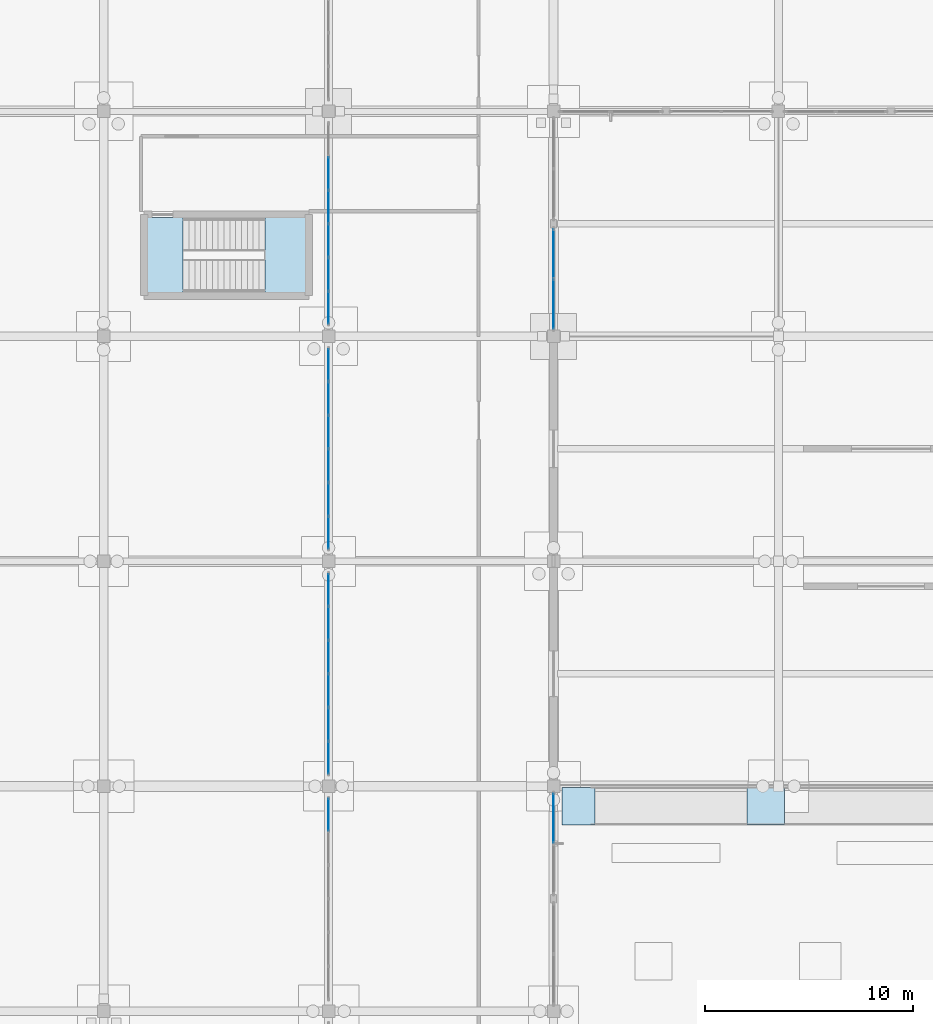
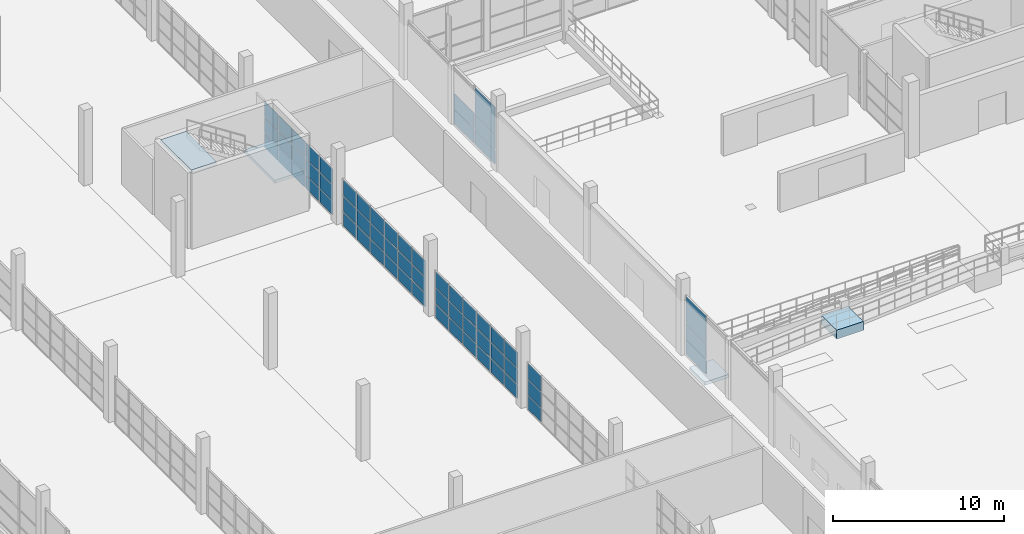
# One storey, part 83 of 138: 62 plates, 4 slabs, 8 elements without a shape of their own.
"""IFC4 building model written with IfcOpenShell, lengths in metres."""

from ifc_helpers import new_model, si_unit, direction, frame, origin, origin_2d, place, context, subcontext, project, spatial, polyline, rectangle, outline, extrude, material, layer, layer_set, type_object, element, aggregate, save


model = new_model("IFC4")

# Units and contexts
model_context = context("Model", 3, precision=1e-05, world=origin(), true_north=direction((0.0, 1.0)))
body_context = subcontext(model_context, "Body", "Model", "MODEL_VIEW")
ifc_project = project(units=[si_unit("LENGTHUNIT", "METRE"), si_unit("AREAUNIT", "SQUARE_METRE"), si_unit("VOLUMEUNIT", "CUBIC_METRE"), si_unit("PLANEANGLEUNIT", "RADIAN"), si_unit("MASSUNIT", "GRAM", prefix="KILO")], contexts=[model_context])

# Site, building, storey
site_placement = place(None, origin())
site = spatial("IfcSite", under=ifc_project, at=site_placement, CompositionType="ELEMENT")
building_placement = place(site_placement, origin())
building = spatial("IfcBuilding", under=site, at=building_placement, Name="Zwinboog Wholesale Market", CompositionType="ELEMENT")
storey_placement = place(building_placement, origin())
storey = spatial("IfcBuildingStorey", under=building, at=storey_placement, Name="L00", CompositionType="ELEMENT", Elevation=0.0)

# Curtain wall, plates
ifc_material_1 = material(Name="Aluminium thermally broken curtain wall", Category="aluminium")
curtain_wall_type_1 = type_object("IfcCurtainWallType", Name="CWT-OFF-15", PredefinedType="USERDEFINED", material=ifc_material_1)
curtain_wall_1_placement = place(storey_placement, origin())
curtain_wall_1 = element("IfcCurtainWall", 1, at=curtain_wall_1_placement, inside=storey, type_object=curtain_wall_type_1, Name="CW-06 (CW-L00-024)", ObjectType="UNITIZED_CURTAIN_WALL", PredefinedType="USERDEFINED")
ifc_material_2 = material(Name="Double low-e insulated glazing", Category="glass")
ifc_layer_1 = layer(ifc_material_2, 0.031982421875)
ifc_layer_set_1 = layer_set([ifc_layer_1], Name="Double low-e insulated glazing")
plate_type_1 = type_object("IfcPlateType", Name="CWP-IGU-32", PredefinedType="CURTAIN_PANEL", material=ifc_layer_set_1)
plate_1_placement = place(storey_placement, frame((43.199951171875, 30.86376953125, 0.06005859375), z_axis=(0.0, 0.0, 1.0), x_axis=(0.0, 1.0, 0.0)))
plate_1 = element("IfcPlate", 2, at=plate_1_placement, type_object=plate_type_1, Name="CW-06 panel 2.1", PredefinedType="CURTAIN_PANEL", context=body_context, shape_type="SweptSolid", body=[
    extrude(rectangle(XDim=2.362548828125, YDim=0.031982421875, at=origin_2d()), origin(), (0.0, 0.0, 1.0), 1.010009765625),
])
plate_2_placement = place(storey_placement, frame((43.199951171875, 30.86376953125, 1.1298828125), z_axis=(0.0, 0.0, 1.0), x_axis=(0.0, 1.0, 0.0)))
plate_2 = element("IfcPlate", 3, at=plate_2_placement, type_object=plate_type_1, Name="CW-06 panel 2.2", PredefinedType="CURTAIN_PANEL", context=body_context, shape_type="SweptSolid", body=[
    extrude(rectangle(XDim=2.362548828125, YDim=0.031982421875, at=origin_2d()), origin(), (0.0, 0.0, 1.0), 1.090087890625),
])
plate_3_placement = place(storey_placement, frame((43.199951171875, 30.86376953125, 2.2802734375), z_axis=(0.0, 0.0, 1.0), x_axis=(0.0, 1.0, 0.0)))
plate_3 = element("IfcPlate", 4, at=plate_3_placement, type_object=plate_type_1, Name="CW-06 panel 2.3", PredefinedType="CURTAIN_PANEL", context=body_context, shape_type="SweptSolid", body=[
    extrude(rectangle(XDim=2.362548828125, YDim=0.031982421875, at=origin_2d()), origin(), (0.0, 0.0, 1.0), 1.909912109375),
])
aggregate(curtain_wall_1, [plate_1, plate_2, plate_3])

curtain_wall_type_2 = type_object("IfcCurtainWallType", Name="CWT-STALL-18", PredefinedType="USERDEFINED", material=ifc_material_1)
curtain_wall_2_placement = place(storey_placement, origin())
curtain_wall_2 = element("IfcCurtainWall", 5, at=curtain_wall_2_placement, inside=storey, type_object=curtain_wall_type_2, Name="CW-01 (CW-L00-025)", ObjectType="STOREFRONT_GLAZING", PredefinedType="USERDEFINED")
plate_4_placement = place(storey_placement, frame((43.199951171875, 55.53759765625, 0.06494140625), z_axis=(0.0, 0.0, 1.0), x_axis=(0.0, 1.0, 0.0)))
plate_4 = element("IfcPlate", 6, at=plate_4_placement, type_object=plate_type_1, Name="CW-01 panel 1.1", PredefinedType="CURTAIN_PANEL", context=body_context, shape_type="SweptSolid", body=[
    extrude(rectangle(XDim=2.35498046875, YDim=0.031982421875, at=origin_2d()), origin(), (0.0, 0.0, 1.0), 1.00244140625),
])
plate_5_placement = place(storey_placement, frame((43.199951171875, 55.53759765625, 1.132568359375), z_axis=(0.0, 0.0, 1.0), x_axis=(0.0, 1.0, 0.0)))
plate_5 = element("IfcPlate", 7, at=plate_5_placement, type_object=plate_type_1, Name="CW-01 panel 1.2", PredefinedType="CURTAIN_PANEL", context=body_context, shape_type="SweptSolid", body=[
    extrude(rectangle(XDim=2.35498046875, YDim=0.031982421875, at=origin_2d()), origin(), (0.0, 0.0, 1.0), 1.0849609375),
])
plate_6_placement = place(storey_placement, frame((43.199951171875, 55.53759765625, 2.282470703125), z_axis=(0.0, 0.0, 1.0), x_axis=(0.0, 1.0, 0.0)))
plate_6 = element("IfcPlate", 8, at=plate_6_placement, type_object=plate_type_1, Name="CW-01 panel 1.3", PredefinedType="CURTAIN_PANEL", context=body_context, shape_type="SweptSolid", body=[
    extrude(rectangle(XDim=2.35498046875, YDim=0.031982421875, at=origin_2d()), origin(), (0.0, 0.0, 1.0), 1.8505859375),
])
plate_7_placement = place(storey_placement, frame((43.199951171875, 57.95751953125, 0.06494140625), z_axis=(0.0, 0.0, 1.0), x_axis=(0.0, 1.0, 0.0)))
plate_7 = element("IfcPlate", 9, at=plate_7_placement, type_object=plate_type_1, Name="CW-01 panel 2.1", PredefinedType="CURTAIN_PANEL", context=body_context, shape_type="SweptSolid", body=[
    extrude(rectangle(XDim=2.35498046875, YDim=0.031982421875, at=origin_2d()), origin(), (0.0, 0.0, 1.0), 1.00244140625),
])
plate_8_placement = place(storey_placement, frame((43.199951171875, 57.95751953125, 1.132568359375), z_axis=(0.0, 0.0, 1.0), x_axis=(0.0, 1.0, 0.0)))
plate_8 = element("IfcPlate", 10, at=plate_8_placement, type_object=plate_type_1, Name="CW-01 panel 2.2", PredefinedType="CURTAIN_PANEL", context=body_context, shape_type="SweptSolid", body=[
    extrude(rectangle(XDim=2.35498046875, YDim=0.031982421875, at=origin_2d()), origin(), (0.0, 0.0, 1.0), 1.0849609375),
])
aggregate(curtain_wall_2, [plate_4, plate_5, plate_6, plate_7, plate_8])

curtain_wall_type_3 = type_object("IfcCurtainWallType", Name="CWT-INT-STALL", PredefinedType="USERDEFINED", material=ifc_material_1)
curtain_wall_3_placement = place(storey_placement, origin())
curtain_wall_3 = element("IfcCurtainWall", 11, at=curtain_wall_3_placement, inside=storey, type_object=curtain_wall_type_3, Name="CW-07 (CW-STL-219)", ObjectType="STOREFRONT_GLAZING", PredefinedType="USERDEFINED")
ifc_material_3 = material(Name="Tempered laminated market stall glazing", Category="glass")
ifc_layer_2 = layer(ifc_material_3, 0.01611328125)
ifc_layer_set_2 = layer_set([ifc_layer_2], Name="Tempered laminated market stall glazing")
plate_type_2 = type_object("IfcPlateType", Name="CWP-INT-16", PredefinedType="CURTAIN_PANEL", material=ifc_layer_set_2)
plate_9_placement = place(storey_placement, frame((32.39990234375, 31.026611328125, 0.06005859375), z_axis=(0.0, 0.0, 1.0), x_axis=(0.0, 1.0, 0.0)))
plate_9 = element("IfcPlate", 12, at=plate_9_placement, type_object=plate_type_2, Name="CW-07 panel 6.1", PredefinedType="CURTAIN_PANEL", context=body_context, shape_type="SweptSolid", body=[
    extrude(rectangle(XDim=1.526611328125, YDim=0.01611328125, at=origin_2d()), origin(), (0.0, 0.0, 1.0), 0.9599609375),
])
plate_10_placement = place(storey_placement, frame((32.39990234375, 31.026611328125, 1.080078125), z_axis=(0.0, 0.0, 1.0), x_axis=(0.0, 1.0, 0.0)))
plate_10 = element("IfcPlate", 13, at=plate_10_placement, type_object=plate_type_2, Name="CW-07 panel 6.2", PredefinedType="CURTAIN_PANEL", context=body_context, shape_type="SweptSolid", body=[
    extrude(rectangle(XDim=1.526611328125, YDim=0.01611328125, at=origin_2d()), origin(), (0.0, 0.0, 1.0), 1.090087890625),
])
plate_11_placement = place(storey_placement, frame((32.39990234375, 31.026611328125, 2.22998046875), z_axis=(0.0, 0.0, 1.0), x_axis=(0.0, 1.0, 0.0)))
plate_11 = element("IfcPlate", 14, at=plate_11_placement, type_object=plate_type_2, Name="CW-07 panel 6.3", PredefinedType="CURTAIN_PANEL", context=body_context, shape_type="SweptSolid", body=[
    extrude(rectangle(XDim=1.526611328125, YDim=0.01611328125, at=origin_2d()), origin(), (0.0, 0.0, 1.0), 1.110107421875),
])
aggregate(curtain_wall_3, [plate_9, plate_10, plate_11])

curtain_wall_4_placement = place(storey_placement, origin())
curtain_wall_4 = element("IfcCurtainWall", 15, at=curtain_wall_4_placement, inside=storey, type_object=curtain_wall_type_3, Name="CW-07 (CW-STL-220)", ObjectType="STOREFRONT_GLAZING", PredefinedType="USERDEFINED")
plate_12_placement = place(storey_placement, frame((32.39990234375, 33.7734375, 0.06005859375), z_axis=(0.0, 0.0, 1.0), x_axis=(0.0, 1.0, 0.0)))
plate_12 = element("IfcPlate", 16, at=plate_12_placement, type_object=plate_type_2, Name="CW-07 panel 1.1", PredefinedType="CURTAIN_PANEL", context=body_context, shape_type="SweptSolid", body=[
    extrude(rectangle(XDim=1.526611328125, YDim=0.01611328125, at=origin_2d()), origin(), (0.0, 0.0, 1.0), 0.9599609375),
])
plate_13_placement = place(storey_placement, frame((32.39990234375, 33.7734375, 1.080078125), z_axis=(0.0, 0.0, 1.0), x_axis=(0.0, 1.0, 0.0)))
plate_13 = element("IfcPlate", 17, at=plate_13_placement, type_object=plate_type_2, Name="CW-07 panel 1.2", PredefinedType="CURTAIN_PANEL", context=body_context, shape_type="SweptSolid", body=[
    extrude(rectangle(XDim=1.526611328125, YDim=0.01611328125, at=origin_2d()), origin(), (0.0, 0.0, 1.0), 1.090087890625),
])
plate_14_placement = place(storey_placement, frame((32.39990234375, 33.7734375, 2.22998046875), z_axis=(0.0, 0.0, 1.0), x_axis=(0.0, 1.0, 0.0)))
plate_14 = element("IfcPlate", 18, at=plate_14_placement, type_object=plate_type_2, Name="CW-07 panel 1.3", PredefinedType="CURTAIN_PANEL", context=body_context, shape_type="SweptSolid", body=[
    extrude(rectangle(XDim=1.526611328125, YDim=0.01611328125, at=origin_2d()), origin(), (0.0, 0.0, 1.0), 1.110107421875),
])
plate_15_placement = place(storey_placement, frame((32.39990234375, 35.375, 0.06005859375), z_axis=(0.0, 0.0, 1.0), x_axis=(0.0, 1.0, 0.0)))
plate_15 = element("IfcPlate", 19, at=plate_15_placement, type_object=plate_type_2, Name="CW-07 panel 2.1", PredefinedType="CURTAIN_PANEL", context=body_context, shape_type="SweptSolid", body=[
    extrude(rectangle(XDim=1.556640625, YDim=0.01611328125, at=origin_2d()), origin(), (0.0, 0.0, 1.0), 0.9599609375),
])
plate_16_placement = place(storey_placement, frame((32.39990234375, 35.375, 1.080078125), z_axis=(0.0, 0.0, 1.0), x_axis=(0.0, 1.0, 0.0)))
plate_16 = element("IfcPlate", 20, at=plate_16_placement, type_object=plate_type_2, Name="CW-07 panel 2.2", PredefinedType="CURTAIN_PANEL", context=body_context, shape_type="SweptSolid", body=[
    extrude(rectangle(XDim=1.556640625, YDim=0.01611328125, at=origin_2d()), origin(), (0.0, 0.0, 1.0), 1.090087890625),
])
plate_17_placement = place(storey_placement, frame((32.39990234375, 35.375, 2.22998046875), z_axis=(0.0, 0.0, 1.0), x_axis=(0.0, 1.0, 0.0)))
plate_17 = element("IfcPlate", 21, at=plate_17_placement, type_object=plate_type_2, Name="CW-07 panel 2.3", PredefinedType="CURTAIN_PANEL", context=body_context, shape_type="SweptSolid", body=[
    extrude(rectangle(XDim=1.556640625, YDim=0.01611328125, at=origin_2d()), origin(), (0.0, 0.0, 1.0), 1.110107421875),
])
plate_18_placement = place(storey_placement, frame((32.39990234375, 36.99169921875, 0.06005859375), z_axis=(0.0, 0.0, 1.0), x_axis=(0.0, 1.0, 0.0)))
plate_18 = element("IfcPlate", 22, at=plate_18_placement, type_object=plate_type_2, Name="CW-07 panel 3.1", PredefinedType="CURTAIN_PANEL", context=body_context, shape_type="SweptSolid", body=[
    extrude(rectangle(XDim=1.556640625, YDim=0.01611328125, at=origin_2d()), origin(), (0.0, 0.0, 1.0), 0.9599609375),
])
plate_19_placement = place(storey_placement, frame((32.39990234375, 36.99169921875, 1.080078125), z_axis=(0.0, 0.0, 1.0), x_axis=(0.0, 1.0, 0.0)))
plate_19 = element("IfcPlate", 23, at=plate_19_placement, type_object=plate_type_2, Name="CW-07 panel 3.2", PredefinedType="CURTAIN_PANEL", context=body_context, shape_type="SweptSolid", body=[
    extrude(rectangle(XDim=1.556640625, YDim=0.01611328125, at=origin_2d()), origin(), (0.0, 0.0, 1.0), 1.090087890625),
])
plate_20_placement = place(storey_placement, frame((32.39990234375, 36.99169921875, 2.22998046875), z_axis=(0.0, 0.0, 1.0), x_axis=(0.0, 1.0, 0.0)))
plate_20 = element("IfcPlate", 24, at=plate_20_placement, type_object=plate_type_2, Name="CW-07 panel 3.3", PredefinedType="CURTAIN_PANEL", context=body_context, shape_type="SweptSolid", body=[
    extrude(rectangle(XDim=1.556640625, YDim=0.01611328125, at=origin_2d()), origin(), (0.0, 0.0, 1.0), 1.110107421875),
])
plate_21_placement = place(storey_placement, frame((32.39990234375, 38.6083984375, 0.06005859375), z_axis=(0.0, 0.0, 1.0), x_axis=(0.0, 1.0, 0.0)))
plate_21 = element("IfcPlate", 25, at=plate_21_placement, type_object=plate_type_2, Name="CW-07 panel 4.1", PredefinedType="CURTAIN_PANEL", context=body_context, shape_type="SweptSolid", body=[
    extrude(rectangle(XDim=1.556640625, YDim=0.01611328125, at=origin_2d()), origin(), (0.0, 0.0, 1.0), 0.9599609375),
])
plate_22_placement = place(storey_placement, frame((32.39990234375, 38.6083984375, 1.080078125), z_axis=(0.0, 0.0, 1.0), x_axis=(0.0, 1.0, 0.0)))
plate_22 = element("IfcPlate", 26, at=plate_22_placement, type_object=plate_type_2, Name="CW-07 panel 4.2", PredefinedType="CURTAIN_PANEL", context=body_context, shape_type="SweptSolid", body=[
    extrude(rectangle(XDim=1.556640625, YDim=0.01611328125, at=origin_2d()), origin(), (0.0, 0.0, 1.0), 1.090087890625),
])
plate_23_placement = place(storey_placement, frame((32.39990234375, 38.6083984375, 2.22998046875), z_axis=(0.0, 0.0, 1.0), x_axis=(0.0, 1.0, 0.0)))
plate_23 = element("IfcPlate", 27, at=plate_23_placement, type_object=plate_type_2, Name="CW-07 panel 4.3", PredefinedType="CURTAIN_PANEL", context=body_context, shape_type="SweptSolid", body=[
    extrude(rectangle(XDim=1.556640625, YDim=0.01611328125, at=origin_2d()), origin(), (0.0, 0.0, 1.0), 1.110107421875),
])
plate_24_placement = place(storey_placement, frame((32.39990234375, 40.22509765625, 0.06005859375), z_axis=(0.0, 0.0, 1.0), x_axis=(0.0, 1.0, 0.0)))
plate_24 = element("IfcPlate", 28, at=plate_24_placement, type_object=plate_type_2, Name="CW-07 panel 5.1", PredefinedType="CURTAIN_PANEL", context=body_context, shape_type="SweptSolid", body=[
    extrude(rectangle(XDim=1.556640625, YDim=0.01611328125, at=origin_2d()), origin(), (0.0, 0.0, 1.0), 0.9599609375),
])
plate_25_placement = place(storey_placement, frame((32.39990234375, 40.22509765625, 1.080078125), z_axis=(0.0, 0.0, 1.0), x_axis=(0.0, 1.0, 0.0)))
plate_25 = element("IfcPlate", 29, at=plate_25_placement, type_object=plate_type_2, Name="CW-07 panel 5.2", PredefinedType="CURTAIN_PANEL", context=body_context, shape_type="SweptSolid", body=[
    extrude(rectangle(XDim=1.556640625, YDim=0.01611328125, at=origin_2d()), origin(), (0.0, 0.0, 1.0), 1.090087890625),
])
plate_26_placement = place(storey_placement, frame((32.39990234375, 40.22509765625, 2.22998046875), z_axis=(0.0, 0.0, 1.0), x_axis=(0.0, 1.0, 0.0)))
plate_26 = element("IfcPlate", 30, at=plate_26_placement, type_object=plate_type_2, Name="CW-07 panel 5.3", PredefinedType="CURTAIN_PANEL", context=body_context, shape_type="SweptSolid", body=[
    extrude(rectangle(XDim=1.556640625, YDim=0.01611328125, at=origin_2d()), origin(), (0.0, 0.0, 1.0), 1.110107421875),
])
plate_27_placement = place(storey_placement, frame((32.39990234375, 41.82666015625, 0.06005859375), z_axis=(0.0, 0.0, 1.0), x_axis=(0.0, 1.0, 0.0)))
plate_27 = element("IfcPlate", 31, at=plate_27_placement, type_object=plate_type_2, Name="CW-07 panel 6.1", PredefinedType="CURTAIN_PANEL", context=body_context, shape_type="SweptSolid", body=[
    extrude(rectangle(XDim=1.526611328125, YDim=0.01611328125, at=origin_2d()), origin(), (0.0, 0.0, 1.0), 0.9599609375),
])
plate_28_placement = place(storey_placement, frame((32.39990234375, 41.82666015625, 1.080078125), z_axis=(0.0, 0.0, 1.0), x_axis=(0.0, 1.0, 0.0)))
plate_28 = element("IfcPlate", 32, at=plate_28_placement, type_object=plate_type_2, Name="CW-07 panel 6.2", PredefinedType="CURTAIN_PANEL", context=body_context, shape_type="SweptSolid", body=[
    extrude(rectangle(XDim=1.526611328125, YDim=0.01611328125, at=origin_2d()), origin(), (0.0, 0.0, 1.0), 1.090087890625),
])
plate_29_placement = place(storey_placement, frame((32.39990234375, 41.82666015625, 2.22998046875), z_axis=(0.0, 0.0, 1.0), x_axis=(0.0, 1.0, 0.0)))
plate_29 = element("IfcPlate", 33, at=plate_29_placement, type_object=plate_type_2, Name="CW-07 panel 6.3", PredefinedType="CURTAIN_PANEL", context=body_context, shape_type="SweptSolid", body=[
    extrude(rectangle(XDim=1.526611328125, YDim=0.01611328125, at=origin_2d()), origin(), (0.0, 0.0, 1.0), 1.110107421875),
])
aggregate(curtain_wall_4, [plate_12, plate_13, plate_14, plate_15, plate_16, plate_17, plate_18, plate_19, plate_20, plate_21, plate_22, plate_23, plate_24, plate_25, plate_26, plate_27, plate_28, plate_29])

curtain_wall_5_placement = place(storey_placement, origin())
curtain_wall_5 = element("IfcCurtainWall", 34, at=curtain_wall_5_placement, inside=storey, type_object=curtain_wall_type_3, Name="CW-07 (CW-STL-221)", ObjectType="STOREFRONT_GLAZING", PredefinedType="USERDEFINED")
plate_30_placement = place(storey_placement, frame((32.39990234375, 44.5732421875, 0.06005859375), z_axis=(0.0, 0.0, 1.0), x_axis=(0.0, 1.0, 0.0)))
plate_30 = element("IfcPlate", 35, at=plate_30_placement, type_object=plate_type_2, Name="CW-07 panel 1.1", PredefinedType="CURTAIN_PANEL", context=body_context, shape_type="SweptSolid", body=[
    extrude(rectangle(XDim=1.526611328125, YDim=0.01611328125, at=origin_2d()), origin(), (0.0, 0.0, 1.0), 0.9599609375),
])
plate_31_placement = place(storey_placement, frame((32.39990234375, 44.5732421875, 1.080078125), z_axis=(0.0, 0.0, 1.0), x_axis=(0.0, 1.0, 0.0)))
plate_31 = element("IfcPlate", 36, at=plate_31_placement, type_object=plate_type_2, Name="CW-07 panel 1.2", PredefinedType="CURTAIN_PANEL", context=body_context, shape_type="SweptSolid", body=[
    extrude(rectangle(XDim=1.526611328125, YDim=0.01611328125, at=origin_2d()), origin(), (0.0, 0.0, 1.0), 1.090087890625),
])
plate_32_placement = place(storey_placement, frame((32.39990234375, 44.5732421875, 2.22998046875), z_axis=(0.0, 0.0, 1.0), x_axis=(0.0, 1.0, 0.0)))
plate_32 = element("IfcPlate", 37, at=plate_32_placement, type_object=plate_type_2, Name="CW-07 panel 1.3", PredefinedType="CURTAIN_PANEL", context=body_context, shape_type="SweptSolid", body=[
    extrude(rectangle(XDim=1.526611328125, YDim=0.01611328125, at=origin_2d()), origin(), (0.0, 0.0, 1.0), 1.110107421875),
])
plate_33_placement = place(storey_placement, frame((32.39990234375, 46.175048828125, 0.06005859375), z_axis=(0.0, 0.0, 1.0), x_axis=(0.0, 1.0, 0.0)))
plate_33 = element("IfcPlate", 38, at=plate_33_placement, type_object=plate_type_2, Name="CW-07 panel 2.1", PredefinedType="CURTAIN_PANEL", context=body_context, shape_type="SweptSolid", body=[
    extrude(rectangle(XDim=1.556640625, YDim=0.01611328125, at=origin_2d()), origin(), (0.0, 0.0, 1.0), 0.9599609375),
])
plate_34_placement = place(storey_placement, frame((32.39990234375, 46.175048828125, 1.080078125), z_axis=(0.0, 0.0, 1.0), x_axis=(0.0, 1.0, 0.0)))
plate_34 = element("IfcPlate", 39, at=plate_34_placement, type_object=plate_type_2, Name="CW-07 panel 2.2", PredefinedType="CURTAIN_PANEL", context=body_context, shape_type="SweptSolid", body=[
    extrude(rectangle(XDim=1.556640625, YDim=0.01611328125, at=origin_2d()), origin(), (0.0, 0.0, 1.0), 1.090087890625),
])
plate_35_placement = place(storey_placement, frame((32.39990234375, 46.175048828125, 2.22998046875), z_axis=(0.0, 0.0, 1.0), x_axis=(0.0, 1.0, 0.0)))
plate_35 = element("IfcPlate", 40, at=plate_35_placement, type_object=plate_type_2, Name="CW-07 panel 2.3", PredefinedType="CURTAIN_PANEL", context=body_context, shape_type="SweptSolid", body=[
    extrude(rectangle(XDim=1.556640625, YDim=0.01611328125, at=origin_2d()), origin(), (0.0, 0.0, 1.0), 1.110107421875),
])
plate_36_placement = place(storey_placement, frame((32.39990234375, 47.791748046875, 0.06005859375), z_axis=(0.0, 0.0, 1.0), x_axis=(0.0, 1.0, 0.0)))
plate_36 = element("IfcPlate", 41, at=plate_36_placement, type_object=plate_type_2, Name="CW-07 panel 3.1", PredefinedType="CURTAIN_PANEL", context=body_context, shape_type="SweptSolid", body=[
    extrude(rectangle(XDim=1.556640625, YDim=0.01611328125, at=origin_2d()), origin(), (0.0, 0.0, 1.0), 0.9599609375),
])
plate_37_placement = place(storey_placement, frame((32.39990234375, 47.791748046875, 1.080078125), z_axis=(0.0, 0.0, 1.0), x_axis=(0.0, 1.0, 0.0)))
plate_37 = element("IfcPlate", 42, at=plate_37_placement, type_object=plate_type_2, Name="CW-07 panel 3.2", PredefinedType="CURTAIN_PANEL", context=body_context, shape_type="SweptSolid", body=[
    extrude(rectangle(XDim=1.556640625, YDim=0.01611328125, at=origin_2d()), origin(), (0.0, 0.0, 1.0), 1.090087890625),
])
plate_38_placement = place(storey_placement, frame((32.39990234375, 47.791748046875, 2.22998046875), z_axis=(0.0, 0.0, 1.0), x_axis=(0.0, 1.0, 0.0)))
plate_38 = element("IfcPlate", 43, at=plate_38_placement, type_object=plate_type_2, Name="CW-07 panel 3.3", PredefinedType="CURTAIN_PANEL", context=body_context, shape_type="SweptSolid", body=[
    extrude(rectangle(XDim=1.556640625, YDim=0.01611328125, at=origin_2d()), origin(), (0.0, 0.0, 1.0), 1.110107421875),
])
plate_39_placement = place(storey_placement, frame((32.39990234375, 49.408447265625, 0.06005859375), z_axis=(0.0, 0.0, 1.0), x_axis=(0.0, 1.0, 0.0)))
plate_39 = element("IfcPlate", 44, at=plate_39_placement, type_object=plate_type_2, Name="CW-07 panel 4.1", PredefinedType="CURTAIN_PANEL", context=body_context, shape_type="SweptSolid", body=[
    extrude(rectangle(XDim=1.556640625, YDim=0.01611328125, at=origin_2d()), origin(), (0.0, 0.0, 1.0), 0.9599609375),
])
plate_40_placement = place(storey_placement, frame((32.39990234375, 49.408447265625, 1.080078125), z_axis=(0.0, 0.0, 1.0), x_axis=(0.0, 1.0, 0.0)))
plate_40 = element("IfcPlate", 45, at=plate_40_placement, type_object=plate_type_2, Name="CW-07 panel 4.2", PredefinedType="CURTAIN_PANEL", context=body_context, shape_type="SweptSolid", body=[
    extrude(rectangle(XDim=1.556640625, YDim=0.01611328125, at=origin_2d()), origin(), (0.0, 0.0, 1.0), 1.090087890625),
])
plate_41_placement = place(storey_placement, frame((32.39990234375, 49.408447265625, 2.22998046875), z_axis=(0.0, 0.0, 1.0), x_axis=(0.0, 1.0, 0.0)))
plate_41 = element("IfcPlate", 46, at=plate_41_placement, type_object=plate_type_2, Name="CW-07 panel 4.3", PredefinedType="CURTAIN_PANEL", context=body_context, shape_type="SweptSolid", body=[
    extrude(rectangle(XDim=1.556640625, YDim=0.01611328125, at=origin_2d()), origin(), (0.0, 0.0, 1.0), 1.110107421875),
])
plate_42_placement = place(storey_placement, frame((32.39990234375, 51.02490234375, 0.06005859375), z_axis=(0.0, 0.0, 1.0), x_axis=(0.0, 1.0, 0.0)))
plate_42 = element("IfcPlate", 47, at=plate_42_placement, type_object=plate_type_2, Name="CW-07 panel 5.1", PredefinedType="CURTAIN_PANEL", context=body_context, shape_type="SweptSolid", body=[
    extrude(rectangle(XDim=1.556640625, YDim=0.01611328125, at=origin_2d()), origin(), (0.0, 0.0, 1.0), 0.9599609375),
])
plate_43_placement = place(storey_placement, frame((32.39990234375, 51.02490234375, 1.080078125), z_axis=(0.0, 0.0, 1.0), x_axis=(0.0, 1.0, 0.0)))
plate_43 = element("IfcPlate", 48, at=plate_43_placement, type_object=plate_type_2, Name="CW-07 panel 5.2", PredefinedType="CURTAIN_PANEL", context=body_context, shape_type="SweptSolid", body=[
    extrude(rectangle(XDim=1.556640625, YDim=0.01611328125, at=origin_2d()), origin(), (0.0, 0.0, 1.0), 1.090087890625),
])
plate_44_placement = place(storey_placement, frame((32.39990234375, 51.02490234375, 2.22998046875), z_axis=(0.0, 0.0, 1.0), x_axis=(0.0, 1.0, 0.0)))
plate_44 = element("IfcPlate", 49, at=plate_44_placement, type_object=plate_type_2, Name="CW-07 panel 5.3", PredefinedType="CURTAIN_PANEL", context=body_context, shape_type="SweptSolid", body=[
    extrude(rectangle(XDim=1.556640625, YDim=0.01611328125, at=origin_2d()), origin(), (0.0, 0.0, 1.0), 1.110107421875),
])
plate_45_placement = place(storey_placement, frame((32.39990234375, 52.626708984375, 0.06005859375), z_axis=(0.0, 0.0, 1.0), x_axis=(0.0, 1.0, 0.0)))
plate_45 = element("IfcPlate", 50, at=plate_45_placement, type_object=plate_type_2, Name="CW-07 panel 6.1", PredefinedType="CURTAIN_PANEL", context=body_context, shape_type="SweptSolid", body=[
    extrude(rectangle(XDim=1.526611328125, YDim=0.01611328125, at=origin_2d()), origin(), (0.0, 0.0, 1.0), 0.9599609375),
])
plate_46_placement = place(storey_placement, frame((32.39990234375, 52.626708984375, 1.080078125), z_axis=(0.0, 0.0, 1.0), x_axis=(0.0, 1.0, 0.0)))
plate_46 = element("IfcPlate", 51, at=plate_46_placement, type_object=plate_type_2, Name="CW-07 panel 6.2", PredefinedType="CURTAIN_PANEL", context=body_context, shape_type="SweptSolid", body=[
    extrude(rectangle(XDim=1.526611328125, YDim=0.01611328125, at=origin_2d()), origin(), (0.0, 0.0, 1.0), 1.090087890625),
])
plate_47_placement = place(storey_placement, frame((32.39990234375, 52.626708984375, 2.22998046875), z_axis=(0.0, 0.0, 1.0), x_axis=(0.0, 1.0, 0.0)))
plate_47 = element("IfcPlate", 52, at=plate_47_placement, type_object=plate_type_2, Name="CW-07 panel 6.3", PredefinedType="CURTAIN_PANEL", context=body_context, shape_type="SweptSolid", body=[
    extrude(rectangle(XDim=1.526611328125, YDim=0.01611328125, at=origin_2d()), origin(), (0.0, 0.0, 1.0), 1.110107421875),
])
aggregate(curtain_wall_5, [plate_30, plate_31, plate_32, plate_33, plate_34, plate_35, plate_36, plate_37, plate_38, plate_39, plate_40, plate_41, plate_42, plate_43, plate_44, plate_45, plate_46, plate_47])

curtain_wall_6_placement = place(storey_placement, origin())
curtain_wall_6 = element("IfcCurtainWall", 53, at=curtain_wall_6_placement, inside=storey, type_object=curtain_wall_type_3, Name="CW-07 (CW-STL-222)", ObjectType="STOREFRONT_GLAZING", PredefinedType="USERDEFINED")
plate_48_placement = place(storey_placement, frame((32.39990234375, 55.373291015625, 0.06005859375), z_axis=(0.0, 0.0, 1.0), x_axis=(0.0, 1.0, 0.0)))
plate_48 = element("IfcPlate", 54, at=plate_48_placement, type_object=plate_type_2, Name="CW-07 panel 1.1", PredefinedType="CURTAIN_PANEL", context=body_context, shape_type="SweptSolid", body=[
    extrude(rectangle(XDim=1.526611328125, YDim=0.01611328125, at=origin_2d()), origin(), (0.0, 0.0, 1.0), 0.9599609375),
])
plate_49_placement = place(storey_placement, frame((32.39990234375, 55.373291015625, 1.080078125), z_axis=(0.0, 0.0, 1.0), x_axis=(0.0, 1.0, 0.0)))
plate_49 = element("IfcPlate", 55, at=plate_49_placement, type_object=plate_type_2, Name="CW-07 panel 1.2", PredefinedType="CURTAIN_PANEL", context=body_context, shape_type="SweptSolid", body=[
    extrude(rectangle(XDim=1.526611328125, YDim=0.01611328125, at=origin_2d()), origin(), (0.0, 0.0, 1.0), 1.090087890625),
])
plate_50_placement = place(storey_placement, frame((32.39990234375, 55.373291015625, 2.22998046875), z_axis=(0.0, 0.0, 1.0), x_axis=(0.0, 1.0, 0.0)))
plate_50 = element("IfcPlate", 56, at=plate_50_placement, type_object=plate_type_2, Name="CW-07 panel 1.3", PredefinedType="CURTAIN_PANEL", context=body_context, shape_type="SweptSolid", body=[
    extrude(rectangle(XDim=1.526611328125, YDim=0.01611328125, at=origin_2d()), origin(), (0.0, 0.0, 1.0), 1.110107421875),
])
plate_51_placement = place(storey_placement, frame((32.39990234375, 56.97509765625, 0.06005859375), z_axis=(0.0, 0.0, 1.0), x_axis=(0.0, 1.0, 0.0)))
plate_51 = element("IfcPlate", 57, at=plate_51_placement, type_object=plate_type_2, Name="CW-07 panel 2.1", PredefinedType="CURTAIN_PANEL", context=body_context, shape_type="SweptSolid", body=[
    extrude(rectangle(XDim=1.556640625, YDim=0.01611328125, at=origin_2d()), origin(), (0.0, 0.0, 1.0), 0.9599609375),
])
plate_52_placement = place(storey_placement, frame((32.39990234375, 56.97509765625, 1.080078125), z_axis=(0.0, 0.0, 1.0), x_axis=(0.0, 1.0, 0.0)))
plate_52 = element("IfcPlate", 58, at=plate_52_placement, type_object=plate_type_2, Name="CW-07 panel 2.2", PredefinedType="CURTAIN_PANEL", context=body_context, shape_type="SweptSolid", body=[
    extrude(rectangle(XDim=1.556640625, YDim=0.01611328125, at=origin_2d()), origin(), (0.0, 0.0, 1.0), 1.090087890625),
])
plate_53_placement = place(storey_placement, frame((32.39990234375, 56.97509765625, 2.22998046875), z_axis=(0.0, 0.0, 1.0), x_axis=(0.0, 1.0, 0.0)))
plate_53 = element("IfcPlate", 59, at=plate_53_placement, type_object=plate_type_2, Name="CW-07 panel 2.3", PredefinedType="CURTAIN_PANEL", context=body_context, shape_type="SweptSolid", body=[
    extrude(rectangle(XDim=1.556640625, YDim=0.01611328125, at=origin_2d()), origin(), (0.0, 0.0, 1.0), 1.110107421875),
])
plate_54_placement = place(storey_placement, frame((32.39990234375, 58.591552734375, 0.06005859375), z_axis=(0.0, 0.0, 1.0), x_axis=(0.0, 1.0, 0.0)))
plate_54 = element("IfcPlate", 60, at=plate_54_placement, type_object=plate_type_2, Name="CW-07 panel 3.1", PredefinedType="CURTAIN_PANEL", context=body_context, shape_type="SweptSolid", body=[
    extrude(rectangle(XDim=1.556640625, YDim=0.01611328125, at=origin_2d()), origin(), (0.0, 0.0, 1.0), 0.9599609375),
])
plate_55_placement = place(storey_placement, frame((32.39990234375, 58.591552734375, 1.080078125), z_axis=(0.0, 0.0, 1.0), x_axis=(0.0, 1.0, 0.0)))
plate_55 = element("IfcPlate", 61, at=plate_55_placement, type_object=plate_type_2, Name="CW-07 panel 3.2", PredefinedType="CURTAIN_PANEL", context=body_context, shape_type="SweptSolid", body=[
    extrude(rectangle(XDim=1.556640625, YDim=0.01611328125, at=origin_2d()), origin(), (0.0, 0.0, 1.0), 1.090087890625),
])
plate_56_placement = place(storey_placement, frame((32.39990234375, 58.591552734375, 2.22998046875), z_axis=(0.0, 0.0, 1.0), x_axis=(0.0, 1.0, 0.0)))
plate_56 = element("IfcPlate", 62, at=plate_56_placement, type_object=plate_type_2, Name="CW-07 panel 3.3", PredefinedType="CURTAIN_PANEL", context=body_context, shape_type="SweptSolid", body=[
    extrude(rectangle(XDim=1.556640625, YDim=0.01611328125, at=origin_2d()), origin(), (0.0, 0.0, 1.0), 1.110107421875),
])
plate_57_placement = place(storey_placement, frame((32.39990234375, 60.208251953125, 0.06005859375), z_axis=(0.0, 0.0, 1.0), x_axis=(0.0, 1.0, 0.0)))
plate_57 = element("IfcPlate", 63, at=plate_57_placement, type_object=plate_type_2, Name="CW-07 panel 4.1", PredefinedType="CURTAIN_PANEL", context=body_context, shape_type="SweptSolid", body=[
    extrude(rectangle(XDim=1.556640625, YDim=0.01611328125, at=origin_2d()), origin(), (0.0, 0.0, 1.0), 0.9599609375),
])
plate_58_placement = place(storey_placement, frame((32.39990234375, 60.208251953125, 1.080078125), z_axis=(0.0, 0.0, 1.0), x_axis=(0.0, 1.0, 0.0)))
plate_58 = element("IfcPlate", 64, at=plate_58_placement, type_object=plate_type_2, Name="CW-07 panel 4.2", PredefinedType="CURTAIN_PANEL", context=body_context, shape_type="SweptSolid", body=[
    extrude(rectangle(XDim=1.556640625, YDim=0.01611328125, at=origin_2d()), origin(), (0.0, 0.0, 1.0), 1.090087890625),
])
plate_59_placement = place(storey_placement, frame((32.39990234375, 60.208251953125, 2.22998046875), z_axis=(0.0, 0.0, 1.0), x_axis=(0.0, 1.0, 0.0)))
plate_59 = element("IfcPlate", 65, at=plate_59_placement, type_object=plate_type_2, Name="CW-07 panel 4.3", PredefinedType="CURTAIN_PANEL", context=body_context, shape_type="SweptSolid", body=[
    extrude(rectangle(XDim=1.556640625, YDim=0.01611328125, at=origin_2d()), origin(), (0.0, 0.0, 1.0), 1.110107421875),
])
plate_60_placement = place(storey_placement, frame((32.39990234375, 61.824951171875, 0.06005859375), z_axis=(0.0, 0.0, 1.0), x_axis=(0.0, 1.0, 0.0)))
plate_60 = element("IfcPlate", 66, at=plate_60_placement, type_object=plate_type_2, Name="CW-07 panel 5.1", PredefinedType="CURTAIN_PANEL", context=body_context, shape_type="SweptSolid", body=[
    extrude(rectangle(XDim=1.556640625, YDim=0.01611328125, at=origin_2d()), origin(), (0.0, 0.0, 1.0), 0.9599609375),
])
plate_61_placement = place(storey_placement, frame((32.39990234375, 61.824951171875, 1.080078125), z_axis=(0.0, 0.0, 1.0), x_axis=(0.0, 1.0, 0.0)))
plate_61 = element("IfcPlate", 67, at=plate_61_placement, type_object=plate_type_2, Name="CW-07 panel 5.2", PredefinedType="CURTAIN_PANEL", context=body_context, shape_type="SweptSolid", body=[
    extrude(rectangle(XDim=1.556640625, YDim=0.01611328125, at=origin_2d()), origin(), (0.0, 0.0, 1.0), 1.090087890625),
])
plate_62_placement = place(storey_placement, frame((32.39990234375, 61.824951171875, 2.22998046875), z_axis=(0.0, 0.0, 1.0), x_axis=(0.0, 1.0, 0.0)))
plate_62 = element("IfcPlate", 68, at=plate_62_placement, type_object=plate_type_2, Name="CW-07 panel 5.3", PredefinedType="CURTAIN_PANEL", context=body_context, shape_type="SweptSolid", body=[
    extrude(rectangle(XDim=1.556640625, YDim=0.01611328125, at=origin_2d()), origin(), (0.0, 0.0, 1.0), 1.110107421875),
])
aggregate(curtain_wall_6, [plate_48, plate_49, plate_50, plate_51, plate_52, plate_53, plate_54, plate_55, plate_56, plate_57, plate_58, plate_59, plate_60, plate_61, plate_62])

# Stair, slabs
ifc_material_4 = material(Name="Concrete C40/50", Category="concrete")
stair_type = type_object("IfcStairType", Name="STT-DOG-160", PredefinedType="HALF_TURN_STAIR", material=ifc_material_4)
stair_placement = place(storey_placement, origin())
stair = element("IfcStair", 69, at=stair_placement, inside=storey, type_object=stair_type, Name="Enclosed Escape Stair ST-16", PredefinedType="HALF_TURN_STAIR")
ifc_layer_3 = layer(ifc_material_4, 0.219970703125)
ifc_layer_set_3 = layer_set([ifc_layer_3], Name="Concrete C40/50")
slab_type = type_object("IfcSlabType", Name="SLT-LND-220", PredefinedType="LANDING", material=ifc_layer_set_3)
slab_1_placement = place(storey_placement, frame((0.0, 0.0, 2.47998046875)))
slab_1 = element("IfcSlab", 70, at=slab_1_placement, type_object=slab_type, Name="ST-16 landing 1", PredefinedType="LANDING", context=body_context, shape_type="SweptSolid", body=[
    extrude(outline(polyline([(29.340087890625, 56.10498046875), (31.294921875, 56.10498046875), (31.294921875, 59.695068359375), (29.340087890625, 59.695068359375), (29.340087890625, 56.10498046875)])), origin(), (0.0, 0.0, 1.0), 0.219970703125),
])
slab_2_placement = place(storey_placement, frame((0.0, 0.0, 5.179931640625)))
slab_2 = element("IfcSlab", 71, at=slab_2_placement, type_object=slab_type, Name="ST-16 landing 2", PredefinedType="LANDING", context=body_context, shape_type="SweptSolid", body=[
    extrude(outline(polyline([(23.705078125, 56.10498046875), (25.419921875, 56.10498046875), (25.419921875, 59.695068359375), (23.705078125, 59.695068359375), (23.705078125, 56.10498046875)])), origin(), (0.0, 0.0, 1.0), 0.219970703125),
])
aggregate(stair, [slab_1, slab_2])

# Ramp, slabs
ramp_type = type_object("IfcRampType", Name="RMPT-PLINTH", PredefinedType="HALF_TURN_RAMP", material=ifc_material_4)
ramp_placement = place(storey_placement, origin())
ramp = element("IfcRamp", 72, at=ramp_placement, inside=storey, type_object=ramp_type, Name="South Park West Accessible Ramp", PredefinedType="HALF_TURN_RAMP")
slab_3_placement = place(storey_placement, frame((0.0, 0.0, -1.419921875)))
slab_3 = element("IfcSlab", 73, at=slab_3_placement, type_object=slab_type, Name="RMP-01-L0 (RMP-01-LTOE)", PredefinedType="LANDING", context=body_context, shape_type="SweptSolid", body=[
    extrude(outline(polyline([(43.60009765625, 30.550048828125), (45.199951171875, 30.550048828125), (45.199951171875, 32.35009765625), (43.60009765625, 32.35009765625), (43.60009765625, 30.550048828125)])), origin(), (0.0, 0.0, 1.0), 0.219970703125),
])
slab_4_placement = place(storey_placement, frame((0.0, 0.0, -1.25)))
slab_4 = element("IfcSlab", 74, at=slab_4_placement, type_object=slab_type, Name="RMP-01-L1 (RMP-01-LMID)", PredefinedType="LANDING", context=body_context, shape_type="SweptSolid", body=[
    extrude(outline(polyline([(52.5, 30.550048828125), (54.300048828125, 30.550048828125), (54.300048828125, 32.35009765625), (52.5, 32.35009765625), (52.5, 30.550048828125)])), origin(), (0.0, 0.0, 1.0), 0.64990234375),
])
aggregate(ramp, [slab_3, slab_4])

save(model, "model.ifc")
